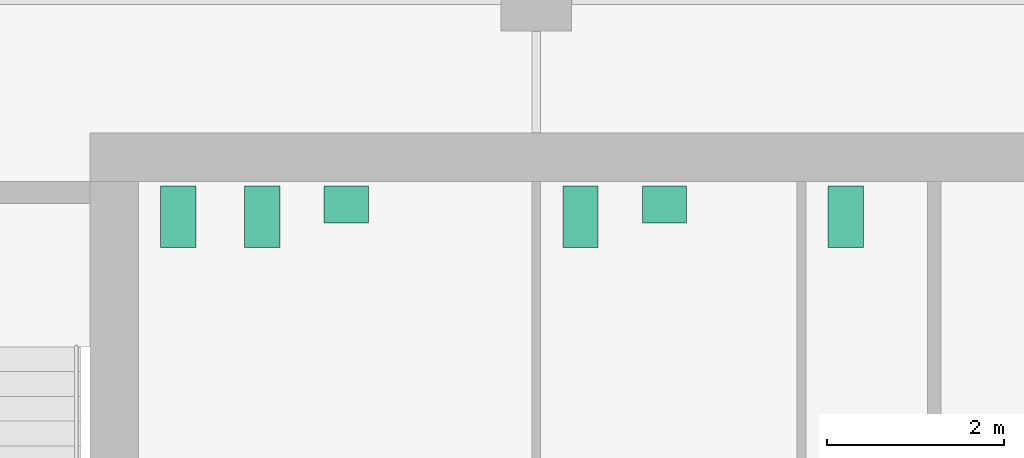
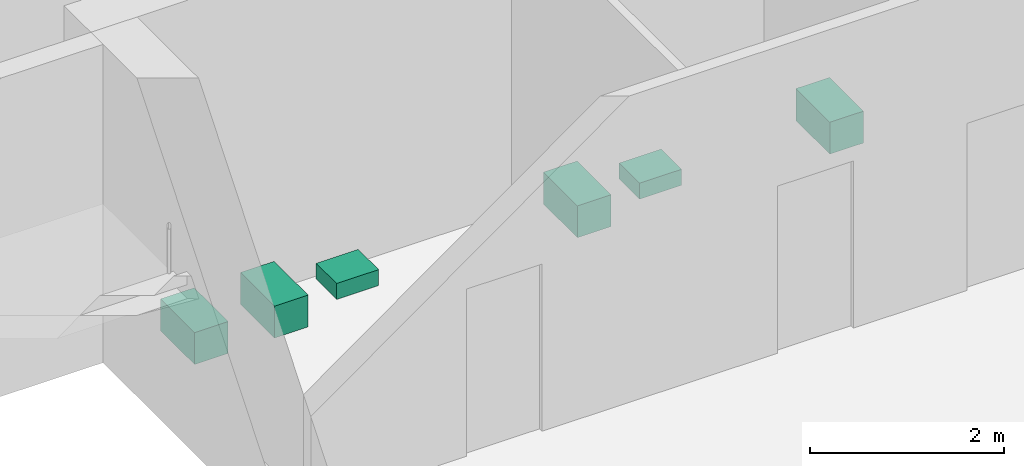
# One storey, part 8 of 8: 6 sanitary terminals.
"""IFC4 building model written with IfcOpenShell, lengths in metres."""

from ifc_helpers import new_model, si_unit, direction, frame, origin, origin_2d, place, context, subcontext, project, spatial, rectangle, extrude, material, type_object, element, save


model = new_model("IFC4")

# Units and contexts
model_context = context("Model", 3, precision=1e-05, world=origin(), true_north=direction((0.0, 1.0)))
body_context = subcontext(model_context, "Body", "Model", "MODEL_VIEW")
ifc_project = project(units=[si_unit("LENGTHUNIT", "METRE"), si_unit("AREAUNIT", "SQUARE_METRE"), si_unit("VOLUMEUNIT", "CUBIC_METRE"), si_unit("PLANEANGLEUNIT", "RADIAN"), si_unit("MASSUNIT", "GRAM", prefix="KILO")], contexts=[model_context])

# Site, building, storey
site_placement = place(None, origin())
site = spatial("IfcSite", under=ifc_project, at=site_placement, CompositionType="ELEMENT")
building_placement = place(site_placement, origin())
building = spatial("IfcBuilding", under=site, at=building_placement, Name="Cinnabar Reach Civic Tower", CompositionType="ELEMENT")
storey_placement = place(building_placement, frame((0.0, 0.0, 210.0)))
storey = spatial("IfcBuildingStorey", under=building, at=storey_placement, Name="L50", CompositionType="ELEMENT", Elevation=210.0)

# Sanitary terminals
ifc_material = material(Name="Vitreous china")
sanitary_terminal_type_1 = type_object("IfcSanitaryTerminalType", Name="T1 WC pan", PredefinedType="TOILETPAN", material=ifc_material)
for number, where, z_axis, x_axis, name in (
    (1, (4.95, 41.6, 0.0), (0.0, 0.0, 1.0), (1.0, 0.0, 0.0), "T1 WC pan 5009-1"),
    (2, (5.9, 41.6, 0.0), (0.0, 0.0, 1.0), (1.0, 0.0, 0.0), "T1 WC pan 5009-2"),
    (3, (9.5, 41.6, 0.0), (0.0, 0.0, 1.0), (1.0, 0.0, 0.0), "T1 WC pan 5010-1"),
    (4, (12.5, 41.6, 0.0), (0.0, 0.0, 1.0), (1.0, 0.0, 0.0), "T1 WC pan 5011-1"),
):
    element("IfcSanitaryTerminal", number, at=place(storey_placement, frame(where, z_axis=z_axis, x_axis=x_axis)), inside=storey, type_object=sanitary_terminal_type_1, Name=name, PredefinedType="TOILETPAN", context=body_context, shape_type="SweptSolid", body=[
        extrude(rectangle(XDim=0.4, YDim=0.7, at=origin_2d()), origin(), (0.0, 0.0, 1.0), 0.4),
    ])
sanitary_terminal_type_2 = type_object("IfcSanitaryTerminalType", Name="T1 wash basin", PredefinedType="WASHHANDBASIN", material=ifc_material)
for number, where, z_axis, x_axis, name in (
    (5, (6.85, 41.74, 0.0), (0.0, 0.0, 1.0), (1.0, 0.0, 0.0), "T1 wash basin 5009-3"),
    (6, (10.45, 41.74, 0.0), (0.0, 0.0, 1.0), (1.0, 0.0, 0.0), "T1 wash basin 5010-2"),
):
    element("IfcSanitaryTerminal", number, at=place(storey_placement, frame(where, z_axis=z_axis, x_axis=x_axis)), inside=storey, type_object=sanitary_terminal_type_2, Name=name, PredefinedType="WASHHANDBASIN", context=body_context, shape_type="SweptSolid", body=[
        extrude(rectangle(XDim=0.5, YDim=0.42, at=origin_2d()), origin(), (0.0, 0.0, 1.0), 0.2),
    ])

save(model, "model.ifc")
